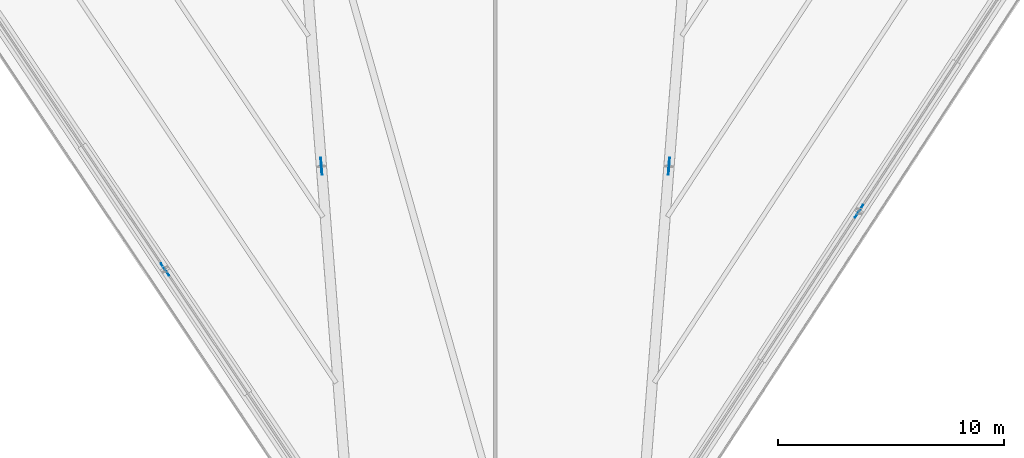
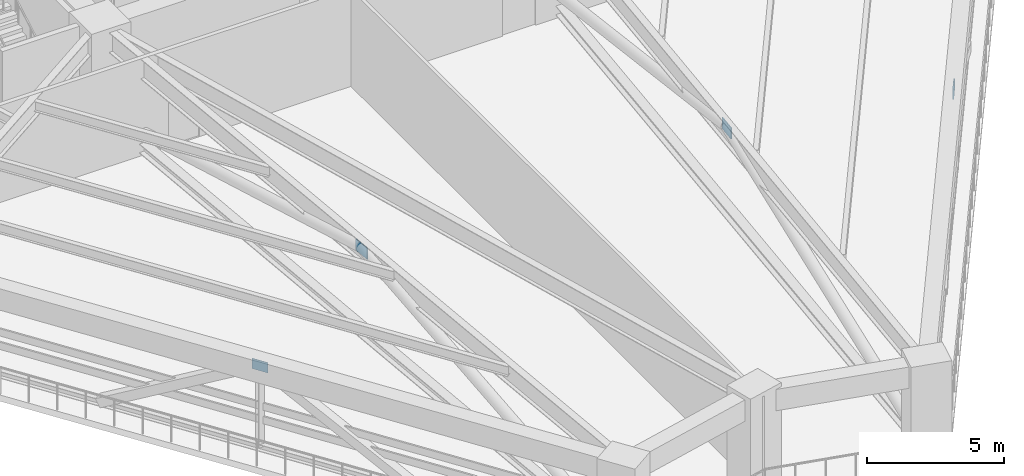
# One storey, part 13 of 25: 4 plates.
"""IFC4 building model written with IfcOpenShell, lengths in metres."""

from ifc_helpers import new_model, si_unit, direction, frame, origin, origin_2d, place, context, subcontext, project, spatial, rectangle, extrude, source, transform, mapped, material, layer, layer_set, type_object, element, save


model = new_model("IFC4")

# Units and contexts
model_context = context("Model", 3, precision=1e-05, world=origin(), true_north=direction((0.0, 1.0)))
body_context = subcontext(model_context, "Body", "Model", "MODEL_VIEW")
ifc_project = project(units=[si_unit("LENGTHUNIT", "METRE"), si_unit("AREAUNIT", "SQUARE_METRE"), si_unit("VOLUMEUNIT", "CUBIC_METRE"), si_unit("PLANEANGLEUNIT", "RADIAN"), si_unit("MASSUNIT", "GRAM", prefix="KILO")], contexts=[model_context])

# Site, building, storey
site_placement = place(None, origin())
site = spatial("IfcSite", under=ifc_project, at=site_placement, CompositionType="ELEMENT")
building_placement = place(site_placement, origin())
building = spatial("IfcBuilding", under=site, at=building_placement, Name="Liaohun Quay Tower", CompositionType="ELEMENT")
storey_placement = place(building_placement, frame((0.0, 0.0, 47.25)))
storey = spatial("IfcBuildingStorey", under=building, at=storey_placement, Name="L12", CompositionType="ELEMENT", Elevation=47.25)

# Plates
ifc_material = material(Name="Steel Q420D outrigger node gusset plate", Category="steel")
ifc_layer = layer(ifc_material, 0.0400390625, Name="Steel Q420D outrigger node gusset plate", Category="steel")
ifc_layer_set = layer_set([ifc_layer], Name="Steel Q420D outrigger node gusset plate")
plate_type = type_object("IfcPlateType", Name="PLT-GUS-OUT", PredefinedType="USERDEFINED", material=ifc_layer_set)
shared_shape_1 = source(origin(), body_context, "Body", "SweptSolid", [
    extrude(rectangle(XDim=0.75, YDim=0.0400390625, at=origin_2d()), origin(), (0.0, 0.0, 1.0), 0.5),
])
for number, where, z_axis, x_axis, name in (
    (1, (52.302978515625, 29.639892578125, 3.669921875), (0.0, 0.0, 1.0), (0.077067060513, -0.997025911491, 0.0), "L12 Outrigger Node Gusset Plate GP1-01"),
    (2, (67.694091796875, 29.64111328125, 3.669921875), (0.0, 0.0, 1.0), (-0.077241073187, -0.997012445566, 0.0), "L12 Outrigger Node Gusset Plate GP1-06"),
):
    element("IfcPlate", number, at=place(storey_placement, frame(where, z_axis=z_axis, x_axis=x_axis)), inside=storey, type_object=plate_type, Name=name, ObjectType="GUSSET PLATE", PredefinedType="USERDEFINED", context=body_context, shape_type="MappedRepresentation", body=[
        mapped(shared_shape_1, transform((0.0, 0.0, 0.0), x_axis=(1.0, 0.0, 0.0), y_axis=(0.0, 1.0, 0.0), z_axis=(0.0, 0.0, 1.0), scale=1.0)),
    ])
shared_shape_2 = source(origin(), body_context, "Body", "SweptSolid", [
    extrude(rectangle(XDim=0.64990234375, YDim=0.035888671875, at=origin_2d()), origin(), (0.0, 0.0, 1.0), 0.449951171875),
])
for number, where, z_axis, x_axis, name in (
    (3, (45.3759765625, 25.072998046875, 3.69482421875), (0.0, 0.0, 1.0), (-0.556440641177, 0.830887364717, 0.0), "L12 Belt Truss Node Gusset Plate GP1-B01"),
    (4, (76.111083984375, 27.653076171875, 3.69482421875), (0.0, 0.0, 1.0), (-0.547271104292, -0.836955398099, 0.0), "L12 Belt Truss Node Gusset Plate GP1-B06"),
):
    element("IfcPlate", number, at=place(storey_placement, frame(where, z_axis=z_axis, x_axis=x_axis)), inside=storey, type_object=plate_type, Name=name, ObjectType="GUSSET PLATE", PredefinedType="USERDEFINED", context=body_context, shape_type="MappedRepresentation", body=[
        mapped(shared_shape_2, transform((0.0, 0.0, 0.0), x_axis=(1.0, 0.0, 0.0), y_axis=(0.0, 1.0, 0.0), z_axis=(0.0, 0.0, 1.0), scale=1.0)),
    ])

save(model, "model.ifc")
